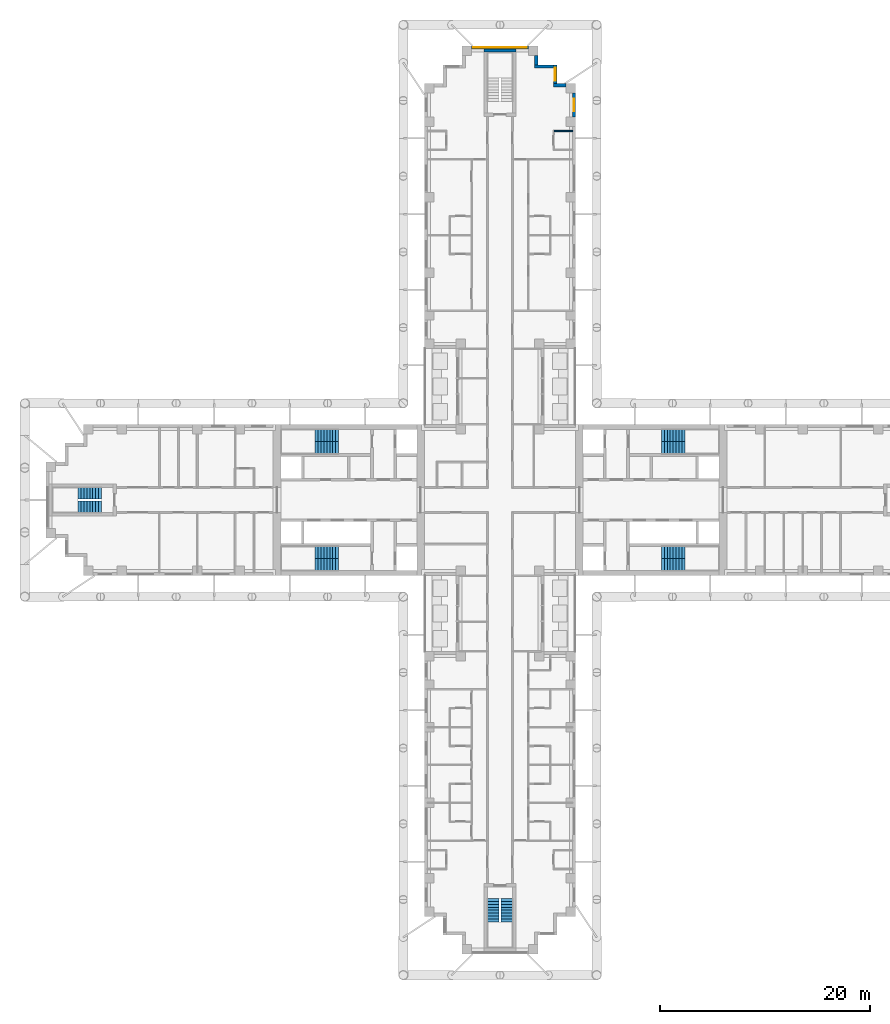
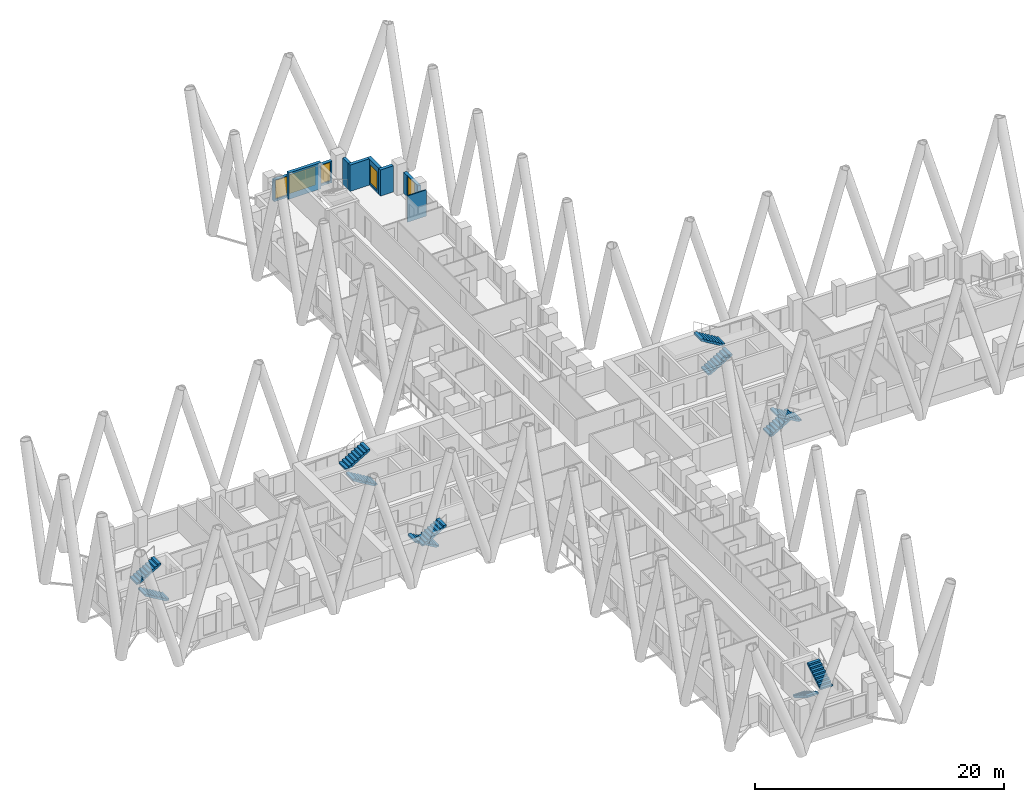
# One storey, part 13 of 16: 12 stair flights, 8 walls, 5 windows, 5 openings, 6 elements without a shape of their own.
"""IFC4 building model written with IfcOpenShell, lengths in metres."""

from ifc_helpers import new_model, si_unit, direction, frame, frame_2d, origin, place, context, subcontext, project, spatial, polyline, rectangle, outline, extrude, material, layer, layer_set, type_object, element, fill, aggregate, save


model = new_model("IFC4")

# Units and contexts
model_context = context("Model", 3, precision=1e-05, world=origin(), true_north=direction((0.0, 1.0)))
body_context = subcontext(model_context, "Body", "Model", "MODEL_VIEW")
ifc_project = project(units=[si_unit("LENGTHUNIT", "METRE"), si_unit("AREAUNIT", "SQUARE_METRE"), si_unit("VOLUMEUNIT", "CUBIC_METRE"), si_unit("PLANEANGLEUNIT", "RADIAN"), si_unit("MASSUNIT", "GRAM", prefix="KILO")], contexts=[model_context])

# Site, building, storey
site_placement = place(None, origin())
site = spatial("IfcSite", under=ifc_project, at=site_placement, CompositionType="ELEMENT")
building_placement = place(site_placement, origin())
building = spatial("IfcBuilding", under=site, at=building_placement, Name="Fustian Cross Tower", CompositionType="ELEMENT")
storey_placement = place(building_placement, frame((0.0, 0.0, 20.699951171875)))
storey = spatial("IfcBuildingStorey", under=building, at=storey_placement, Name="L05", CompositionType="ELEMENT", Elevation=20.699951171875)

# Walls
ifc_material_1 = material(Name="Plasterboard on steel stud", Category="steel")
ifc_layer_1 = layer(ifc_material_1, 0.10009765625)
ifc_layer_set_1 = layer_set([ifc_layer_1], Name="Plasterboard on steel stud")
wall_type_1 = type_object("IfcWallType", Name="PARTITION 100 STUD", PredefinedType="PARTITIONING", material=ifc_layer_set_1)
wall_1_placement = place(storey_placement, frame((5.14990234375, 35.10009765625, 0.0), z_axis=(0.0, 0.0, 1.0), x_axis=(1.0, 0.0, 0.0)))
element("IfcWall", 1, at=wall_1_placement, inside=storey, type_object=wall_type_1, Name="Partition 90", PredefinedType="PARTITIONING", context=body_context, shape_type="SweptSolid", body=[
    extrude(rectangle(XDim=1.75, YDim=0.10009765625, at=frame_2d((0.875, 0.0))), origin(), (0.0, 0.0, 1.0), 2.574951171875),
])
ifc_material_2 = material(Name="Concrete C50/60", Category="concrete")
ifc_layer_2 = layer(ifc_material_2, 0.300048828125)
ifc_layer_set_2 = layer_set([ifc_layer_2], Name="Concrete C50/60")
wall_type_2 = type_object("IfcWallType", Name="STAIR ENCLOSURE WALL 300 C50/60", PredefinedType="SHEAR", material=ifc_layer_set_2)
wall_2_placement = place(storey_placement, frame((-1.5, 42.75, 0.0), z_axis=(0.0, 0.0, 1.0), x_axis=(1.0, 0.0, 0.0)))
element("IfcWall", 2, at=wall_2_placement, inside=storey, type_object=wall_type_2, Name="Stair enclosure wall", PredefinedType="SHEAR", context=body_context, shape_type="SweptSolid", body=[
    extrude(rectangle(XDim=3.0, YDim=0.300048828125, at=frame_2d((1.5, 0.0))), origin(), (0.0, 0.0, 1.0), 2.574951171875),
])

# Wall, opening, window
ifc_material_3 = material(Name="Dark aluminium cladding on insulated backing wall", Category="aluminium")
ifc_layer_3 = layer(ifc_material_3, 0.300048828125)
ifc_layer_set_3 = layer_set([ifc_layer_3], Name="Dark aluminium cladding on insulated backing wall")
wall_type_3 = type_object("IfcWallType", Name="XW1 EXTERNAL WALL 300", PredefinedType="SOLIDWALL", material=ifc_layer_set_3)
wall_3_placement = place(storey_placement, frame((7.050048828125, 36.449951171875, 0.0), z_axis=(0.0, 0.0, 1.0), x_axis=(0.0, 1.0, 0.0)))
wall_3 = element("IfcWall", 3, at=wall_3_placement, inside=storey, type_object=wall_type_3, Name="External wall", PredefinedType="SOLIDWALL", context=body_context, shape_type="SweptSolid", body=[
    extrude(rectangle(XDim=2.25, YDim=0.300048828125, at=frame_2d((1.125, 0.0))), origin(), (0.0, 0.0, 1.0), 2.10009765625),
])
opening_1_placement = place(wall_3_placement, frame((0.52490234375, 0.0, 0.199951171875)))
opening_1 = element("IfcOpeningElement", 4, at=opening_1_placement, cuts=wall_3, Name="Opening WN3", PredefinedType="OPENING", context=body_context, shape_type="SweptSolid", body=[
    extrude(rectangle(XDim=1.199951171875, YDim=1.85009765625, at=frame_2d((0.60009765625, 0.925048828125))), frame((0.0, 0.159912109375, 0.0), z_axis=(0.0, -1.0, 0.0), x_axis=(1.0, 0.0, 0.0)), (0.0, 0.0, 1.0), 0.320068359375),
])
ifc_material_4 = material(Name="Dark anodised aluminium and double glazing", Category="aluminium")
window_type_1 = type_object("IfcWindowType", Name="WN3 WINDOW 1200X1850", PartitioningType="SINGLE_PANEL", PredefinedType="WINDOW", material=ifc_material_4)
window_1_placement = place(opening_1_placement, origin())
window_1 = element("IfcWindow", 5, at=window_1_placement, inside=storey, type_object=window_type_1, Name="Window", OverallHeight=1.85009765625, OverallWidth=1.199951171875, PartitioningType="SINGLE_PANEL", PredefinedType="WINDOW", context=body_context, shape_type="SweptSolid", body=[
    extrude(rectangle(XDim=1.199951171875, YDim=1.85009765625, at=frame_2d((0.60009765625, 0.925048828125))), frame((0.0, 0.030029296875, 0.0), z_axis=(0.0, -1.0, 0.0), x_axis=(1.0, 0.0, 0.0)), (0.0, 0.0, 1.0), 0.06005859375),
])
fill(opening_1, window_1)

# Wall
wall_4_placement = place(storey_placement, frame((6.300048828125, 39.449951171875, 0.0), z_axis=(0.0, 0.0, 1.0), x_axis=(-1.0, 0.0, 0.0)))
element("IfcWall", 6, at=wall_4_placement, inside=storey, type_object=wall_type_3, Name="External wall", PredefinedType="SOLIDWALL", context=body_context, shape_type="SweptSolid", body=[
    extrude(rectangle(XDim=1.199951171875, YDim=0.300048828125, at=frame_2d((0.60009765625, 0.0))), origin(), (0.0, 0.0, 1.0), 2.574951171875),
])

# Wall, opening, window
wall_5_placement = place(storey_placement, frame((5.25, 39.60009765625, 0.0), z_axis=(0.0, 0.0, 1.0), x_axis=(0.0, 1.0, 0.0)))
wall_5 = element("IfcWall", 7, at=wall_5_placement, inside=storey, type_object=wall_type_3, Name="External wall", PredefinedType="SOLIDWALL", context=body_context, shape_type="SweptSolid", body=[
    extrude(rectangle(XDim=1.7998046875, YDim=0.300048828125, at=frame_2d((0.89990234375, 0.0))), origin(), (0.0, 0.0, 1.0), 2.574951171875),
])
opening_2_placement = place(wall_5_placement, frame((0.300048828125, 0.0, 0.199951171875)))
opening_2 = element("IfcOpeningElement", 8, at=opening_2_placement, cuts=wall_5, Name="Opening WN3", PredefinedType="OPENING", context=body_context, shape_type="SweptSolid", body=[
    extrude(rectangle(XDim=1.199951171875, YDim=1.85009765625, at=frame_2d((0.60009765625, 0.925048828125))), frame((0.0, 0.159912109375, 0.0), z_axis=(0.0, -1.0, 0.0), x_axis=(1.0, 0.0, 0.0)), (0.0, 0.0, 1.0), 0.320068359375),
])
window_2_placement = place(opening_2_placement, origin())
window_2 = element("IfcWindow", 9, at=window_2_placement, inside=storey, type_object=window_type_1, Name="Window", OverallHeight=1.85009765625, OverallWidth=1.199951171875, PartitioningType="SINGLE_PANEL", PredefinedType="WINDOW", context=body_context, shape_type="SweptSolid", body=[
    extrude(rectangle(XDim=1.199951171875, YDim=1.85009765625, at=frame_2d((0.60009765625, 0.925048828125))), frame((0.0, 0.030029296875, 0.0), z_axis=(0.0, -1.0, 0.0), x_axis=(1.0, 0.0, 0.0)), (0.0, 0.0, 1.0), 0.06005859375),
])
fill(opening_2, window_2)

# Walls
wall_6_placement = place(storey_placement, frame((5.10009765625, 41.25, 0.0), z_axis=(0.0, 0.0, 1.0), x_axis=(-1.0, 0.0, 0.0)))
element("IfcWall", 10, at=wall_6_placement, inside=storey, type_object=wall_type_3, Name="External wall", PredefinedType="SOLIDWALL", context=body_context, shape_type="SweptSolid", body=[
    extrude(rectangle(XDim=1.800048828125, YDim=0.300048828125, at=frame_2d((0.89990234375, 0.0))), origin(), (0.0, 0.0, 1.0), 2.574951171875),
])
wall_7_placement = place(storey_placement, frame((3.449951171875, 41.39990234375, 0.0), z_axis=(0.0, 0.0, 1.0), x_axis=(0.0, 1.0, 0.0)))
element("IfcWall", 11, at=wall_7_placement, inside=storey, type_object=wall_type_3, Name="External wall", PredefinedType="SOLIDWALL", context=body_context, shape_type="SweptSolid", body=[
    extrude(rectangle(XDim=0.900146484375, YDim=0.300048828125, at=frame_2d((0.4501953125, 0.0))), origin(), (0.0, 0.0, 1.0), 2.574951171875),
])

# Wall, openings, windows
wall_8_placement = place(storey_placement, frame((2.699951171875, 43.050048828125, 0.0), z_axis=(0.0, 0.0, 1.0), x_axis=(-1.0, 0.0, 0.0)))
wall_8 = element("IfcWall", 12, at=wall_8_placement, inside=storey, type_object=wall_type_3, Name="External wall", PredefinedType="SOLIDWALL", context=body_context, shape_type="SweptSolid", body=[
    extrude(rectangle(XDim=5.39990234375, YDim=0.300048828125, at=frame_2d((2.699951171875, 0.0))), origin(), (0.0, 0.0, 1.0), 2.10009765625),
])
opening_3_placement = place(wall_8_placement, frame((1.5, 0.0, 0.199951171875)))
opening_3 = element("IfcOpeningElement", 13, at=opening_3_placement, cuts=wall_8, Name="Opening WN1", PredefinedType="OPENING", context=body_context, shape_type="SweptSolid", body=[
    extrude(rectangle(XDim=2.39990234375, YDim=1.85009765625, at=frame_2d((1.199951171875, 0.925048828125))), frame((0.0, 0.159912109375, 0.0), z_axis=(0.0, -1.0, 0.0), x_axis=(1.0, 0.0, 0.0)), (0.0, 0.0, 1.0), 0.320068359375),
])
opening_4_placement = place(wall_8_placement, frame((0.14990234375, 0.0, 0.199951171875)))
opening_4 = element("IfcOpeningElement", 14, at=opening_4_placement, cuts=wall_8, Name="Opening WN3", PredefinedType="OPENING", context=body_context, shape_type="SweptSolid", body=[
    extrude(rectangle(XDim=1.199951171875, YDim=1.85009765625, at=frame_2d((0.60009765625, 0.925048828125))), frame((0.0, 0.159912109375, 0.0), z_axis=(0.0, -1.0, 0.0), x_axis=(1.0, 0.0, 0.0)), (0.0, 0.0, 1.0), 0.320068359375),
])
opening_5_placement = place(wall_8_placement, frame((4.050048828125, 0.0, 0.199951171875)))
opening_5 = element("IfcOpeningElement", 15, at=opening_5_placement, cuts=wall_8, Name="Opening WN3", PredefinedType="OPENING", context=body_context, shape_type="SweptSolid", body=[
    extrude(rectangle(XDim=1.199951171875, YDim=1.85009765625, at=frame_2d((0.60009765625, 0.925048828125))), frame((0.0, 0.159912109375, 0.0), z_axis=(0.0, -1.0, 0.0), x_axis=(1.0, 0.0, 0.0)), (0.0, 0.0, 1.0), 0.320068359375),
])
ifc_material_5 = material(Name="Dark anodised aluminium and double glazing", Category="aluminium")
window_type_2 = type_object("IfcWindowType", Name="WN1 WINDOW 2400X1850", PartitioningType="SINGLE_PANEL", PredefinedType="WINDOW", material=ifc_material_5)
window_3_placement = place(opening_3_placement, origin())
window_3 = element("IfcWindow", 16, at=window_3_placement, inside=storey, type_object=window_type_2, Name="Window", OverallHeight=1.85009765625, OverallWidth=2.39990234375, PartitioningType="SINGLE_PANEL", PredefinedType="WINDOW", context=body_context, shape_type="SweptSolid", body=[
    extrude(rectangle(XDim=2.39990234375, YDim=1.85009765625, at=frame_2d((1.199951171875, 0.925048828125))), frame((0.0, 0.030029296875, 0.0), z_axis=(0.0, -1.0, 0.0), x_axis=(1.0, 0.0, 0.0)), (0.0, 0.0, 1.0), 0.06005859375),
])
fill(opening_3, window_3)
window_4_placement = place(opening_4_placement, origin())
window_4 = element("IfcWindow", 17, at=window_4_placement, inside=storey, type_object=window_type_1, Name="Window", OverallHeight=1.85009765625, OverallWidth=1.199951171875, PartitioningType="SINGLE_PANEL", PredefinedType="WINDOW", context=body_context, shape_type="SweptSolid", body=[
    extrude(rectangle(XDim=1.199951171875, YDim=1.85009765625, at=frame_2d((0.60009765625, 0.925048828125))), frame((0.0, 0.030029296875, 0.0), z_axis=(0.0, -1.0, 0.0), x_axis=(1.0, 0.0, 0.0)), (0.0, 0.0, 1.0), 0.06005859375),
])
fill(opening_4, window_4)
window_5_placement = place(opening_5_placement, origin())
window_5 = element("IfcWindow", 18, at=window_5_placement, inside=storey, type_object=window_type_1, Name="Window", OverallHeight=1.85009765625, OverallWidth=1.199951171875, PartitioningType="SINGLE_PANEL", PredefinedType="WINDOW", context=body_context, shape_type="SweptSolid", body=[
    extrude(rectangle(XDim=1.199951171875, YDim=1.85009765625, at=frame_2d((0.60009765625, 0.925048828125))), frame((0.0, 0.030029296875, 0.0), z_axis=(0.0, -1.0, 0.0), x_axis=(1.0, 0.0, 0.0)), (0.0, 0.0, 1.0), 0.06005859375),
])
fill(opening_5, window_5)

# Stair, stair flights
ifc_material_6 = material(Name="Concrete C50/60", Category="concrete")
stair_type_1 = type_object("IfcStairType", Name="STAIR 1100 HALF TURN", PredefinedType="HALF_TURN_STAIR", material=ifc_material_6)
stair_1_placement = place(storey_placement, origin())
stair_1 = element("IfcStair", 19, at=stair_1_placement, inside=storey, type_object=stair_type_1, Name="Stair ST6", PredefinedType="HALF_TURN_STAIR")
ifc_material_7 = material(Name="Concrete C50/60", Category="concrete")
stair_flight_type_1 = type_object("IfcStairFlightType", Name="STAIR FLIGHT 1100", PredefinedType="STRAIGHT", material=ifc_material_7)
stair_flight_1_placement = place(storey_placement, frame((-0.64990234375, -37.89990234375, 0.0), z_axis=(0.0, 0.0, 1.0), x_axis=(0.0, -1.0, 0.0)))
stair_flight_1 = element("IfcStairFlight", 20, at=stair_flight_1_placement, type_object=stair_flight_type_1, Name="ST6 flight 1", NumberOfRisers=9, NumberOfTreads=8, PredefinedType="STRAIGHT", RiserHeight=0.166666667, TreadLength=0.28, context=body_context, shape_type="SweptSolid", body=[
    extrude(outline(polyline([(0.0, 0.0), (0.0, 0.166748046875), (0.280029296875, 0.166748046875), (0.280029296875, 0.333251953125), (0.56005859375, 0.333251953125), (0.56005859375, 0.5), (0.840087890625, 0.5), (0.840087890625, 0.666748046875), (1.1201171875, 0.666748046875), (1.1201171875, 0.833251953125), (1.39990234375, 0.833251953125), (1.39990234375, 1.0), (1.679931640625, 1.0), (1.679931640625, 1.166748046875), (1.9599609375, 1.166748046875), (1.9599609375, 1.333251953125), (2.239990234375, 1.333251953125), (2.239990234375, 1.5), (2.239990234375, 1.158935546875), (0.29296875, 0.0), (0.0, 0.0)])), frame((0.0, 0.550048828125, 0.0), z_axis=(0.0, -1.0, 0.0), x_axis=(1.0, 0.0, 0.0)), (0.0, 0.0, 1.0), 1.10009765625),
])
stair_flight_2_placement = place(storey_placement, frame((0.64990234375, -40.139892578125, 1.5), z_axis=(0.0, 0.0, 1.0), x_axis=(0.0, 1.0, 0.0)))
stair_flight_2 = element("IfcStairFlight", 21, at=stair_flight_2_placement, type_object=stair_flight_type_1, Name="ST6 flight 2", NumberOfRisers=9, NumberOfTreads=8, PredefinedType="STRAIGHT", RiserHeight=0.166666667, TreadLength=0.28, context=body_context, shape_type="SweptSolid", body=[
    extrude(outline(polyline([(0.0, 0.0), (0.0, 0.166748046875), (0.280029296875, 0.166748046875), (0.280029296875, 0.333251953125), (0.56005859375, 0.333251953125), (0.56005859375, 0.5), (0.840087890625, 0.5), (0.840087890625, 0.666748046875), (1.1201171875, 0.666748046875), (1.1201171875, 0.833251953125), (1.39990234375, 0.833251953125), (1.39990234375, 1.0), (1.679931640625, 1.0), (1.679931640625, 1.166748046875), (1.9599609375, 1.166748046875), (1.9599609375, 1.333251953125), (2.239990234375, 1.333251953125), (2.239990234375, 1.5), (2.239990234375, 1.158935546875), (0.29296875, 0.0), (0.0, 0.0)])), frame((0.0, 0.550048828125, 0.0), z_axis=(0.0, -1.0, 0.0), x_axis=(1.0, 0.0, 0.0)), (0.0, 0.0, 1.0), 1.10009765625),
])
aggregate(stair_1, [stair_flight_1, stair_flight_2])

stair_2_placement = place(storey_placement, origin())
stair_2 = element("IfcStair", 22, at=stair_2_placement, inside=storey, type_object=stair_type_1, Name="Stair ST9", PredefinedType="HALF_TURN_STAIR")
stair_flight_3_placement = place(storey_placement, frame((-37.89990234375, -0.64990234375, 0.0), z_axis=(0.0, 0.0, 1.0), x_axis=(-1.0, 0.0, 0.0)))
stair_flight_3 = element("IfcStairFlight", 23, at=stair_flight_3_placement, type_object=stair_flight_type_1, Name="ST9 flight 1", NumberOfRisers=9, NumberOfTreads=8, PredefinedType="STRAIGHT", RiserHeight=0.166666667, TreadLength=0.28, context=body_context, shape_type="SweptSolid", body=[
    extrude(outline(polyline([(0.0, 0.0), (0.0, 0.166748046875), (0.280029296875, 0.166748046875), (0.280029296875, 0.333251953125), (0.56005859375, 0.333251953125), (0.56005859375, 0.5), (0.840087890625, 0.5), (0.840087890625, 0.666748046875), (1.1201171875, 0.666748046875), (1.1201171875, 0.833251953125), (1.39990234375, 0.833251953125), (1.39990234375, 1.0), (1.679931640625, 1.0), (1.679931640625, 1.166748046875), (1.9599609375, 1.166748046875), (1.9599609375, 1.333251953125), (2.239990234375, 1.333251953125), (2.239990234375, 1.5), (2.239990234375, 1.158935546875), (0.29296875, 0.0), (0.0, 0.0)])), frame((0.0, 0.550048828125, 0.0), z_axis=(0.0, -1.0, 0.0), x_axis=(1.0, 0.0, 0.0)), (0.0, 0.0, 1.0), 1.10009765625),
])
stair_flight_4_placement = place(storey_placement, frame((-40.139892578125, 0.64990234375, 1.5), z_axis=(0.0, 0.0, 1.0), x_axis=(1.0, 0.0, 0.0)))
stair_flight_4 = element("IfcStairFlight", 24, at=stair_flight_4_placement, type_object=stair_flight_type_1, Name="ST9 flight 2", NumberOfRisers=9, NumberOfTreads=8, PredefinedType="STRAIGHT", RiserHeight=0.166666667, TreadLength=0.28, context=body_context, shape_type="SweptSolid", body=[
    extrude(outline(polyline([(0.0, 0.0), (0.0, 0.166748046875), (0.280029296875, 0.166748046875), (0.280029296875, 0.333251953125), (0.56005859375, 0.333251953125), (0.56005859375, 0.5), (0.840087890625, 0.5), (0.840087890625, 0.666748046875), (1.1201171875, 0.666748046875), (1.1201171875, 0.833251953125), (1.39990234375, 0.833251953125), (1.39990234375, 1.0), (1.679931640625, 1.0), (1.679931640625, 1.166748046875), (1.9599609375, 1.166748046875), (1.9599609375, 1.333251953125), (2.239990234375, 1.333251953125), (2.239990234375, 1.5), (2.239990234375, 1.158935546875), (0.29296875, 0.0), (0.0, 0.0)])), frame((0.0, 0.550048828125, 0.0), z_axis=(0.0, -1.0, 0.0), x_axis=(1.0, 0.0, 0.0)), (0.0, 0.0, 1.0), 1.10009765625),
])
aggregate(stair_2, [stair_flight_3, stair_flight_4])

ifc_material_8 = material(Name="Concrete C50/60", Category="concrete")
stair_type_2 = type_object("IfcStairType", Name="STAIR 1150 HALF TURN", PredefinedType="HALF_TURN_STAIR", material=ifc_material_8)
stair_3_placement = place(storey_placement, origin())
stair_3 = element("IfcStair", 25, at=stair_3_placement, inside=storey, type_object=stair_type_2, Name="Stair ST1", PredefinedType="HALF_TURN_STAIR")
ifc_material_9 = material(Name="Concrete C50/60", Category="concrete")
stair_flight_type_2 = type_object("IfcStairFlightType", Name="STAIR FLIGHT 1150", PredefinedType="STRAIGHT", material=ifc_material_9)
stair_flight_5_placement = place(storey_placement, frame((15.35009765625, 4.97509765625, 0.0), z_axis=(0.0, 0.0, 1.0), x_axis=(1.0, 0.0, 0.0)))
stair_flight_5 = element("IfcStairFlight", 26, at=stair_flight_5_placement, type_object=stair_flight_type_2, Name="ST1 flight 1", NumberOfRisers=9, NumberOfTreads=8, PredefinedType="STRAIGHT", RiserHeight=0.166666667, TreadLength=0.28, context=body_context, shape_type="SweptSolid", body=[
    extrude(outline(polyline([(0.0, 0.0), (0.0, 0.166748046875), (0.280029296875, 0.166748046875), (0.280029296875, 0.333251953125), (0.56005859375, 0.333251953125), (0.56005859375, 0.5), (0.840087890625, 0.5), (0.840087890625, 0.666748046875), (1.1201171875, 0.666748046875), (1.1201171875, 0.833251953125), (1.39990234375, 0.833251953125), (1.39990234375, 1.0), (1.679931640625, 1.0), (1.679931640625, 1.166748046875), (1.9599609375, 1.166748046875), (1.9599609375, 1.333251953125), (2.239990234375, 1.333251953125), (2.239990234375, 1.5), (2.239990234375, 1.158935546875), (0.29296875, 0.0), (0.0, 0.0)])), frame((0.0, 0.574951171875, 0.0), z_axis=(0.0, -1.0, 0.0), x_axis=(1.0, 0.0, 0.0)), (0.0, 0.0, 1.0), 1.14990234375),
])
stair_flight_6_placement = place(storey_placement, frame((17.590087890625, 6.125, 1.5), z_axis=(0.0, 0.0, 1.0), x_axis=(-1.0, 0.0, 0.0)))
stair_flight_6 = element("IfcStairFlight", 27, at=stair_flight_6_placement, type_object=stair_flight_type_2, Name="ST1 flight 2", NumberOfRisers=9, NumberOfTreads=8, PredefinedType="STRAIGHT", RiserHeight=0.166666667, TreadLength=0.28, context=body_context, shape_type="SweptSolid", body=[
    extrude(outline(polyline([(0.0, 0.0), (0.0, 0.166748046875), (0.280029296875, 0.166748046875), (0.280029296875, 0.333251953125), (0.56005859375, 0.333251953125), (0.56005859375, 0.5), (0.840087890625, 0.5), (0.840087890625, 0.666748046875), (1.1201171875, 0.666748046875), (1.1201171875, 0.833251953125), (1.39990234375, 0.833251953125), (1.39990234375, 1.0), (1.679931640625, 1.0), (1.679931640625, 1.166748046875), (1.9599609375, 1.166748046875), (1.9599609375, 1.333251953125), (2.239990234375, 1.333251953125), (2.239990234375, 1.5), (2.239990234375, 1.158935546875), (0.29296875, 0.0), (0.0, 0.0)])), frame((0.0, 0.574951171875, 0.0), z_axis=(0.0, -1.0, 0.0), x_axis=(1.0, 0.0, 0.0)), (0.0, 0.0, 1.0), 1.14990234375),
])
aggregate(stair_3, [stair_flight_5, stair_flight_6])

stair_4_placement = place(storey_placement, origin())
stair_4 = element("IfcStair", 28, at=stair_4_placement, inside=storey, type_object=stair_type_2, Name="Stair ST2", PredefinedType="HALF_TURN_STAIR")
stair_flight_7_placement = place(storey_placement, frame((15.35009765625, -4.97509765625, 0.0), z_axis=(0.0, 0.0, 1.0), x_axis=(1.0, 0.0, 0.0)))
stair_flight_7 = element("IfcStairFlight", 29, at=stair_flight_7_placement, type_object=stair_flight_type_2, Name="ST2 flight 1", NumberOfRisers=9, NumberOfTreads=8, PredefinedType="STRAIGHT", RiserHeight=0.166666667, TreadLength=0.28, context=body_context, shape_type="SweptSolid", body=[
    extrude(outline(polyline([(0.0, 0.0), (0.0, 0.166748046875), (0.280029296875, 0.166748046875), (0.280029296875, 0.333251953125), (0.56005859375, 0.333251953125), (0.56005859375, 0.5), (0.840087890625, 0.5), (0.840087890625, 0.666748046875), (1.1201171875, 0.666748046875), (1.1201171875, 0.833251953125), (1.39990234375, 0.833251953125), (1.39990234375, 1.0), (1.679931640625, 1.0), (1.679931640625, 1.166748046875), (1.9599609375, 1.166748046875), (1.9599609375, 1.333251953125), (2.239990234375, 1.333251953125), (2.239990234375, 1.5), (2.239990234375, 1.158935546875), (0.29296875, 0.0), (0.0, 0.0)])), frame((0.0, 0.574951171875, 0.0), z_axis=(0.0, -1.0, 0.0), x_axis=(1.0, 0.0, 0.0)), (0.0, 0.0, 1.0), 1.14990234375),
])
stair_flight_8_placement = place(storey_placement, frame((17.590087890625, -6.125, 1.5), z_axis=(0.0, 0.0, 1.0), x_axis=(-1.0, 0.0, 0.0)))
stair_flight_8 = element("IfcStairFlight", 30, at=stair_flight_8_placement, type_object=stair_flight_type_2, Name="ST2 flight 2", NumberOfRisers=9, NumberOfTreads=8, PredefinedType="STRAIGHT", RiserHeight=0.166666667, TreadLength=0.28, context=body_context, shape_type="SweptSolid", body=[
    extrude(outline(polyline([(0.0, 0.0), (0.0, 0.166748046875), (0.280029296875, 0.166748046875), (0.280029296875, 0.333251953125), (0.56005859375, 0.333251953125), (0.56005859375, 0.5), (0.840087890625, 0.5), (0.840087890625, 0.666748046875), (1.1201171875, 0.666748046875), (1.1201171875, 0.833251953125), (1.39990234375, 0.833251953125), (1.39990234375, 1.0), (1.679931640625, 1.0), (1.679931640625, 1.166748046875), (1.9599609375, 1.166748046875), (1.9599609375, 1.333251953125), (2.239990234375, 1.333251953125), (2.239990234375, 1.5), (2.239990234375, 1.158935546875), (0.29296875, 0.0), (0.0, 0.0)])), frame((0.0, 0.574951171875, 0.0), z_axis=(0.0, -1.0, 0.0), x_axis=(1.0, 0.0, 0.0)), (0.0, 0.0, 1.0), 1.14990234375),
])
aggregate(stair_4, [stair_flight_7, stair_flight_8])

stair_5_placement = place(storey_placement, origin())
stair_5 = element("IfcStair", 31, at=stair_5_placement, inside=storey, type_object=stair_type_2, Name="Stair ST3", PredefinedType="HALF_TURN_STAIR")
stair_flight_9_placement = place(storey_placement, frame((-15.35009765625, 4.97509765625, 0.0), z_axis=(0.0, 0.0, 1.0), x_axis=(-1.0, 0.0, 0.0)))
stair_flight_9 = element("IfcStairFlight", 32, at=stair_flight_9_placement, type_object=stair_flight_type_2, Name="ST3 flight 1", NumberOfRisers=9, NumberOfTreads=8, PredefinedType="STRAIGHT", RiserHeight=0.166666667, TreadLength=0.28, context=body_context, shape_type="SweptSolid", body=[
    extrude(outline(polyline([(0.0, 0.0), (0.0, 0.166748046875), (0.280029296875, 0.166748046875), (0.280029296875, 0.333251953125), (0.56005859375, 0.333251953125), (0.56005859375, 0.5), (0.840087890625, 0.5), (0.840087890625, 0.666748046875), (1.1201171875, 0.666748046875), (1.1201171875, 0.833251953125), (1.39990234375, 0.833251953125), (1.39990234375, 1.0), (1.679931640625, 1.0), (1.679931640625, 1.166748046875), (1.9599609375, 1.166748046875), (1.9599609375, 1.333251953125), (2.239990234375, 1.333251953125), (2.239990234375, 1.5), (2.239990234375, 1.158935546875), (0.29296875, 0.0), (0.0, 0.0)])), frame((0.0, 0.574951171875, 0.0), z_axis=(0.0, -1.0, 0.0), x_axis=(1.0, 0.0, 0.0)), (0.0, 0.0, 1.0), 1.14990234375),
])
stair_flight_10_placement = place(storey_placement, frame((-17.590087890625, 6.125, 1.5), z_axis=(0.0, 0.0, 1.0), x_axis=(1.0, 0.0, 0.0)))
stair_flight_10 = element("IfcStairFlight", 33, at=stair_flight_10_placement, type_object=stair_flight_type_2, Name="ST3 flight 2", NumberOfRisers=9, NumberOfTreads=8, PredefinedType="STRAIGHT", RiserHeight=0.166666667, TreadLength=0.28, context=body_context, shape_type="SweptSolid", body=[
    extrude(outline(polyline([(0.0, 0.0), (0.0, 0.166748046875), (0.280029296875, 0.166748046875), (0.280029296875, 0.333251953125), (0.56005859375, 0.333251953125), (0.56005859375, 0.5), (0.840087890625, 0.5), (0.840087890625, 0.666748046875), (1.1201171875, 0.666748046875), (1.1201171875, 0.833251953125), (1.39990234375, 0.833251953125), (1.39990234375, 1.0), (1.679931640625, 1.0), (1.679931640625, 1.166748046875), (1.9599609375, 1.166748046875), (1.9599609375, 1.333251953125), (2.239990234375, 1.333251953125), (2.239990234375, 1.5), (2.239990234375, 1.158935546875), (0.29296875, 0.0), (0.0, 0.0)])), frame((0.0, 0.574951171875, 0.0), z_axis=(0.0, -1.0, 0.0), x_axis=(1.0, 0.0, 0.0)), (0.0, 0.0, 1.0), 1.14990234375),
])
aggregate(stair_5, [stair_flight_9, stair_flight_10])

stair_6_placement = place(storey_placement, origin())
stair_6 = element("IfcStair", 34, at=stair_6_placement, inside=storey, type_object=stair_type_2, Name="Stair ST4", PredefinedType="HALF_TURN_STAIR")
stair_flight_11_placement = place(storey_placement, frame((-15.35009765625, -4.97509765625, 0.0), z_axis=(0.0, 0.0, 1.0), x_axis=(-1.0, 0.0, 0.0)))
stair_flight_11 = element("IfcStairFlight", 35, at=stair_flight_11_placement, type_object=stair_flight_type_2, Name="ST4 flight 1", NumberOfRisers=9, NumberOfTreads=8, PredefinedType="STRAIGHT", RiserHeight=0.166666667, TreadLength=0.28, context=body_context, shape_type="SweptSolid", body=[
    extrude(outline(polyline([(0.0, 0.0), (0.0, 0.166748046875), (0.280029296875, 0.166748046875), (0.280029296875, 0.333251953125), (0.56005859375, 0.333251953125), (0.56005859375, 0.5), (0.840087890625, 0.5), (0.840087890625, 0.666748046875), (1.1201171875, 0.666748046875), (1.1201171875, 0.833251953125), (1.39990234375, 0.833251953125), (1.39990234375, 1.0), (1.679931640625, 1.0), (1.679931640625, 1.166748046875), (1.9599609375, 1.166748046875), (1.9599609375, 1.333251953125), (2.239990234375, 1.333251953125), (2.239990234375, 1.5), (2.239990234375, 1.158935546875), (0.29296875, 0.0), (0.0, 0.0)])), frame((0.0, 0.574951171875, 0.0), z_axis=(0.0, -1.0, 0.0), x_axis=(1.0, 0.0, 0.0)), (0.0, 0.0, 1.0), 1.14990234375),
])
stair_flight_12_placement = place(storey_placement, frame((-17.590087890625, -6.125, 1.5), z_axis=(0.0, 0.0, 1.0), x_axis=(1.0, 0.0, 0.0)))
stair_flight_12 = element("IfcStairFlight", 36, at=stair_flight_12_placement, type_object=stair_flight_type_2, Name="ST4 flight 2", NumberOfRisers=9, NumberOfTreads=8, PredefinedType="STRAIGHT", RiserHeight=0.166666667, TreadLength=0.28, context=body_context, shape_type="SweptSolid", body=[
    extrude(outline(polyline([(0.0, 0.0), (0.0, 0.166748046875), (0.280029296875, 0.166748046875), (0.280029296875, 0.333251953125), (0.56005859375, 0.333251953125), (0.56005859375, 0.5), (0.840087890625, 0.5), (0.840087890625, 0.666748046875), (1.1201171875, 0.666748046875), (1.1201171875, 0.833251953125), (1.39990234375, 0.833251953125), (1.39990234375, 1.0), (1.679931640625, 1.0), (1.679931640625, 1.166748046875), (1.9599609375, 1.166748046875), (1.9599609375, 1.333251953125), (2.239990234375, 1.333251953125), (2.239990234375, 1.5), (2.239990234375, 1.158935546875), (0.29296875, 0.0), (0.0, 0.0)])), frame((0.0, 0.574951171875, 0.0), z_axis=(0.0, -1.0, 0.0), x_axis=(1.0, 0.0, 0.0)), (0.0, 0.0, 1.0), 1.14990234375),
])
aggregate(stair_6, [stair_flight_11, stair_flight_12])

save(model, "model.ifc")
